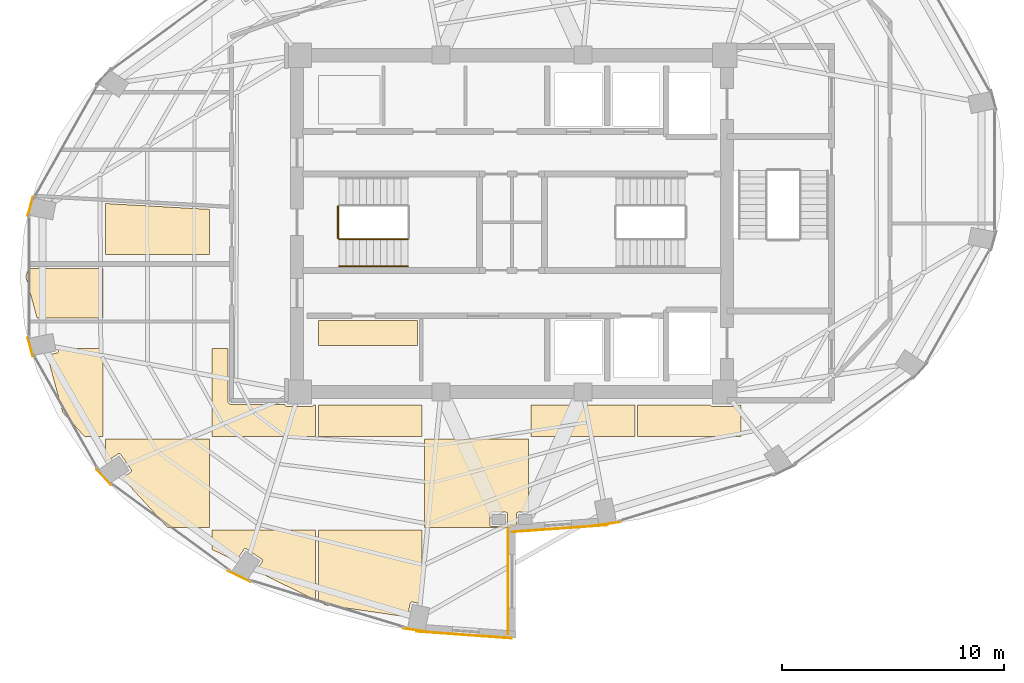
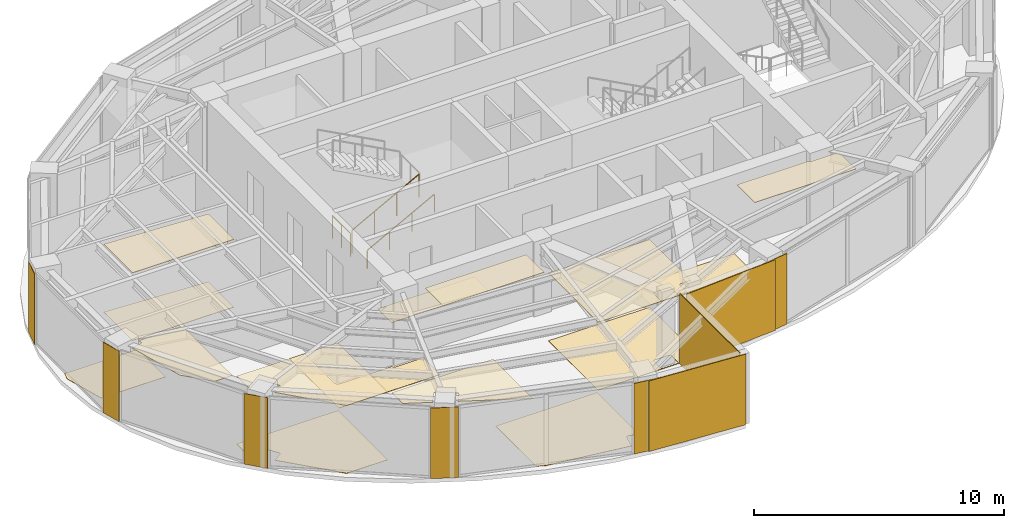
# One storey, part 22 of 23: 24 coverings, 3 railings.
"""IFC4 building model written with IfcOpenShell, lengths in metres."""

from ifc_helpers import new_model, si_unit, direction, frame, origin, origin_2d, place, context, subcontext, project, spatial, polyline, rectangle, circle, outline, extrude, material, layer, layer_set, type_object, element, save


model = new_model("IFC4")

# Units and contexts
model_context = context("Model", 3, precision=1e-05, world=origin(), true_north=direction((0.0, 1.0)))
body_context = subcontext(model_context, "Body", "Model", "MODEL_VIEW")
ifc_project = project(units=[si_unit("LENGTHUNIT", "METRE"), si_unit("AREAUNIT", "SQUARE_METRE"), si_unit("VOLUMEUNIT", "CUBIC_METRE"), si_unit("PLANEANGLEUNIT", "RADIAN"), si_unit("MASSUNIT", "GRAM", prefix="KILO")], contexts=[model_context])

# Site, building, storey
site_placement = place(None, origin())
site = spatial("IfcSite", under=ifc_project, at=site_placement, CompositionType="ELEMENT")
building_placement = place(site_placement, origin())
building = spatial("IfcBuilding", under=site, at=building_placement, Name="Lazwardi Medical Tower", CompositionType="ELEMENT")
storey_placement = place(building_placement, frame((0.0, 0.0, 213.072021484375)))
storey = spatial("IfcBuildingStorey", under=building, at=storey_placement, Name="L55", CompositionType="ELEMENT", Elevation=213.072021484375)

# Coverings
ifc_material_1 = material(Name="Anodised bronze aluminium cassette cladding", Category="aluminium")
ifc_layer_1 = layer(ifc_material_1, 0.030029296875)
ifc_layer_set_1 = layer_set([ifc_layer_1], Name="Anodised bronze aluminium cassette cladding")
covering_type_1 = type_object("IfcCoveringType", Name="COV-CLD-BRZ", PredefinedType="CLADDING", material=ifc_layer_set_1)
covering_1_placement = place(storey_placement, frame((40.3232421875, 14.450439453125, 0.0), z_axis=(0.0, 0.0, 1.0), x_axis=(0.989512431533, 0.144447733943, 0.0)))
element("IfcCovering", 1, at=covering_1_placement, inside=storey, type_object=covering_type_1, Name="L55 Mega-column bronze cassette cover M01", PredefinedType="CLADDING", context=body_context, shape_type="SweptSolid", body=[
    extrude(rectangle(XDim=1.188720703125, YDim=0.030029296875, at=origin_2d()), origin(), (0.0, 0.0, 1.0), 3.447998046875),
])
for number, where, z_axis, x_axis, name in (
    (2, (14.265869140625, 28.772705078125, 0.0), (0.0, 0.0, 1.0), (-0.261641748247, -0.96516506131, 0.0), "L55 Mega-column bronze cassette cover M12"),
    (3, (14.265869140625, 22.427490234375, 0.0), (0.0, 0.0, 1.0), (0.261641748247, -0.96516506131, 0.0), "L55 Mega-column bronze cassette cover M13"),
):
    element("IfcCovering", number, at=place(storey_placement, frame(where, z_axis=z_axis, x_axis=x_axis)), inside=storey, type_object=covering_type_1, Name=name, PredefinedType="CLADDING", context=body_context, shape_type="SweptSolid", body=[
        extrude(rectangle(XDim=0.894287109375, YDim=0.030029296875, at=origin_2d()), origin(), (0.0, 0.0, 1.0), 3.447998046875),
    ])
covering_2_placement = place(storey_placement, frame((17.57470703125, 16.565185546875, 0.0), z_axis=(0.0, 0.0, 1.0), x_axis=(0.673240970654, -0.739423150458, 0.0)))
element("IfcCovering", 4, at=covering_2_placement, inside=storey, type_object=covering_type_1, Name="L55 Mega-column bronze cassette cover M14", PredefinedType="CLADDING", context=body_context, shape_type="SweptSolid", body=[
    extrude(rectangle(XDim=0.98974609375, YDim=0.030029296875, at=origin_2d()), origin(), (0.0, 0.0, 1.0), 3.447998046875),
])
covering_3_placement = place(storey_placement, frame((23.688720703125, 12.07861328125, 0.0), z_axis=(0.0, 0.0, 1.0), x_axis=(0.897840141691, -0.440321564278, 0.0)))
element("IfcCovering", 5, at=covering_3_placement, inside=storey, type_object=covering_type_1, Name="L55 Mega-column bronze cassette cover M15", PredefinedType="CLADDING", context=body_context, shape_type="SweptSolid", body=[
    extrude(rectangle(XDim=1.110595703125, YDim=0.030029296875, at=origin_2d()), origin(), (0.0, 0.0, 1.0), 3.447998046875),
])
covering_4_placement = place(storey_placement, frame((31.6767578125, 9.650390625, 0.0), z_axis=(0.0, 0.0, 1.0), x_axis=(0.989512431533, -0.144447733943, 0.0)))
element("IfcCovering", 6, at=covering_4_placement, inside=storey, type_object=covering_type_1, Name="L55 Mega-column bronze cassette cover M16", PredefinedType="CLADDING", context=body_context, shape_type="SweptSolid", body=[
    extrude(rectangle(XDim=1.188720703125, YDim=0.030029296875, at=origin_2d()), origin(), (0.0, 0.0, 1.0), 3.447998046875),
])
ifc_material_2 = material(Name="Turquoise glazed ceramic tilework cladding", Category="masonry")
ifc_layer_2 = layer(ifc_material_2, 0.034912109375)
ifc_layer_set_2 = layer_set([ifc_layer_2], Name="Turquoise glazed ceramic tilework cladding")
covering_type_2 = type_object("IfcCoveringType", Name="COV-CLD-TRQ", PredefinedType="CLADDING", material=ifc_layer_set_2)
covering_5_placement = place(storey_placement, frame((38.16259765625, 14.239990234375, 0.0), z_axis=(0.0, 0.0, 1.0), x_axis=(0.997409491337, 0.071932653157, 0.0)))
element("IfcCovering", 7, at=covering_5_placement, inside=storey, type_object=covering_type_2, Name="L55 Turquoise glazed ceramic tilework cladding", PredefinedType="CLADDING", context=body_context, shape_type="SweptSolid", body=[
    extrude(rectangle(XDim=4.31103515625, YDim=0.034912109375, at=origin_2d()), origin(), (0.0, 0.0, 1.0), 3.447998046875),
])
covering_6_placement = place(storey_placement, frame((33.83740234375, 9.43994140625, 0.0), z_axis=(0.0, 0.0, 1.0), x_axis=(0.997408989128, -0.071939616387, 0.0)))
element("IfcCovering", 8, at=covering_6_placement, inside=storey, type_object=covering_type_2, Name="L55 Turquoise glazed ceramic tilework cladding", PredefinedType="CLADDING", context=body_context, shape_type="SweptSolid", body=[
    extrude(rectangle(XDim=4.310546875, YDim=0.034912109375, at=origin_2d()), origin(), (0.0, 0.0, 1.0), 3.447998046875),
])
covering_7_placement = place(storey_placement, frame((35.824462890625, 11.860107421875, 0.0), z_axis=(0.0, 0.0, 1.0), x_axis=(0.0, 1.0, 0.0)))
element("IfcCovering", 9, at=covering_7_placement, inside=storey, type_object=covering_type_2, Name="L55 Turquoise glazed ceramic tilework iwan panel", PredefinedType="CLADDING", context=body_context, shape_type="SweptSolid", body=[
    extrude(rectangle(XDim=4.800048828125, YDim=0.034912109375, at=origin_2d()), origin(), (0.0, 0.0, 1.0), 3.447998046875),
])
ifc_material_3 = material(Name="Acoustic mineral fibre tile")
ifc_layer_3 = layer(ifc_material_3, 0.02490234375)
ifc_layer_set_3 = layer_set([ifc_layer_3], Name="Acoustic mineral fibre tile")
covering_type_3 = type_object("IfcCoveringType", Name="COV-CLG-01", PredefinedType="CEILING", material=ifc_layer_set_3)
covering_8_placement = place(storey_placement, frame((0.0, 0.0, 3.302978515625)))
element("IfcCovering", 10, at=covering_8_placement, inside=storey, type_object=covering_type_3, Name="L55 Clinical Acoustic Ceiling 1", PredefinedType="CEILING", context=body_context, shape_type="SweptSolid", body=[
    extrude(outline(polyline([(15.510498046875, 22.37255859375), (15.534423828125, 22.251953125), (15.53564453125, 22.244140625), (15.535888671875, 22.236328125), (15.53564453125, 22.228515625), (15.534423828125, 22.220703125), (15.53271484375, 22.213134765625), (15.52978515625, 22.205810546875), (15.526611328125, 22.19873046875), (15.5224609375, 22.19189453125), (15.517822265625, 22.185791015625), (15.5126953125, 22.1796875), (15.5068359375, 22.174560546875), (15.50048828125, 22.169921875), (15.49365234375, 22.165771484375), (15.486572265625, 22.16259765625), (15.479248046875, 22.159912109375), (15.4716796875, 22.157958984375), (15.0224609375, 22.068603515625), (15.728271484375, 19.470703125), (16.71240234375, 18.392578125), (17.54296875, 18.392578125), (17.54296875, 22.37255859375), (15.510498046875, 22.37255859375)])), origin(), (0.0, 0.0, 1.0), 0.02490234375),
])
covering_9_placement = place(storey_placement, frame((0.0, 0.0, 3.302978515625)))
element("IfcCovering", 11, at=covering_9_placement, inside=storey, type_object=covering_type_3, Name="L55 Clinical Acoustic Ceiling 2", PredefinedType="CEILING", context=body_context, shape_type="SweptSolid", body=[
    extrude(outline(polyline([(17.662841796875, 17.351318359375), (17.7333984375, 17.273681640625), (18.236572265625, 17.60986328125), (18.2431640625, 17.614013671875), (18.250244140625, 17.6171875), (18.2578125, 17.6201171875), (18.265380859375, 17.621826171875), (18.273193359375, 17.623046875), (18.281005859375, 17.623291015625), (18.288818359375, 17.623046875), (18.29638671875, 17.621826171875), (18.30419921875, 17.6201171875), (18.3115234375, 17.6171875), (18.318603515625, 17.614013671875), (18.3251953125, 17.60986328125), (18.33154296875, 17.605224609375), (18.33740234375, 17.60009765625), (18.3427734375, 17.59423828125), (18.347412109375, 17.587890625), (18.814208984375, 16.889404296875), (18.818115234375, 16.8828125), (18.821533203125, 16.87548828125), (18.82421875, 16.8681640625), (18.826171875, 16.860595703125), (18.8271484375, 16.852783203125), (18.82763671875, 16.844970703125), (18.8271484375, 16.837158203125), (18.826171875, 16.829345703125), (18.82421875, 16.82177734375), (18.821533203125, 16.814453125), (18.818115234375, 16.807373046875), (18.814208984375, 16.800537109375), (18.809326171875, 16.794189453125), (18.80419921875, 16.788330078125), (18.79833984375, 16.783203125), (18.7919921875, 16.778564453125), (18.415283203125, 16.52685546875), (20.45458984375, 14.29248046875), (22.343017578125, 14.29248046875), (22.343017578125, 18.2724609375), (17.662841796875, 18.2724609375), (17.662841796875, 17.351318359375)])), origin(), (0.0, 0.0, 1.0), 0.02490234375),
])
covering_10_placement = place(storey_placement, frame((0.0, 0.0, 3.302978515625)))
element("IfcCovering", 12, at=covering_10_placement, inside=storey, type_object=covering_type_3, Name="L55 Clinical Acoustic Ceiling 3", PredefinedType="CEILING", context=body_context, shape_type="SweptSolid", body=[
    extrude(outline(polyline([(22.343017578125, 28.640380859375), (17.662841796875, 28.902587890625), (17.662841796875, 26.592529296875), (22.343017578125, 26.592529296875), (22.343017578125, 28.640380859375)])), origin(), (0.0, 0.0, 1.0), 0.02490234375),
])
covering_11_placement = place(storey_placement, frame((0.0, 0.0, 3.302978515625)))
element("IfcCovering", 13, at=covering_11_placement, inside=storey, type_object=covering_type_3, Name="L55 Clinical Acoustic Ceiling 4", PredefinedType="CEILING", context=body_context, shape_type="SweptSolid", body=[
    extrude(outline(polyline([(22.462890625, 13.2958984375), (23.545654296875, 12.766357421875), (23.900634765625, 13.297607421875), (23.905517578125, 13.303955078125), (23.91064453125, 13.309814453125), (23.91650390625, 13.31494140625), (23.9228515625, 13.319580078125), (23.929443359375, 13.32373046875), (23.9365234375, 13.3271484375), (23.944091796875, 13.329833984375), (23.95166015625, 13.331787109375), (23.95947265625, 13.332763671875), (23.96728515625, 13.333251953125), (23.97509765625, 13.332763671875), (23.98291015625, 13.331787109375), (23.990478515625, 13.329833984375), (23.997802734375, 13.3271484375), (24.0048828125, 13.32373046875), (24.01171875, 13.319580078125), (24.7099609375, 12.85302734375), (24.71630859375, 12.848388671875), (24.72216796875, 12.843017578125), (24.727294921875, 12.83740234375), (24.732177734375, 12.830810546875), (24.736083984375, 12.82421875), (24.739501953125, 12.817138671875), (24.7421875, 12.809814453125), (24.744140625, 12.802001953125), (24.7451171875, 12.794189453125), (24.74560546875, 12.78662109375), (24.7451171875, 12.77880859375), (24.744140625, 12.77099609375), (24.7421875, 12.76318359375), (24.739501953125, 12.755859375), (24.736083984375, 12.748779296875), (24.732177734375, 12.7421875), (24.4521484375, 12.322998046875), (27.142822265625, 11.006591796875), (27.142822265625, 14.172607421875), (22.462890625, 14.172607421875), (22.462890625, 13.2958984375)])), origin(), (0.0, 0.0, 1.0), 0.02490234375),
])
covering_12_placement = place(storey_placement, frame((0.0, 0.0, 3.302978515625)))
element("IfcCovering", 14, at=covering_12_placement, inside=storey, type_object=covering_type_3, Name="L55 Clinical Acoustic Ceiling 6", PredefinedType="CEILING", context=body_context, shape_type="SweptSolid", body=[
    extrude(outline(polyline([(31.94287109375, 19.820068359375), (27.262939453125, 19.820068359375), (27.262939453125, 18.392578125), (31.94287109375, 18.392578125), (31.94287109375, 19.820068359375)])), origin(), (0.0, 0.0, 1.0), 0.02490234375),
])
covering_13_placement = place(storey_placement, frame((0.0, 0.0, 3.302978515625)))
element("IfcCovering", 15, at=covering_13_placement, inside=storey, type_object=covering_type_3, Name="L55 Clinical Acoustic Ceiling 8", PredefinedType="CEILING", context=body_context, shape_type="SweptSolid", body=[
    extrude(outline(polyline([(35.921142578125, 14.29248046875), (35.92138671875, 14.295166015625), (35.923095703125, 14.302490234375), (35.92578125, 14.309814453125), (35.928955078125, 14.316650390625), (35.9326171875, 14.3232421875), (35.93701171875, 14.329345703125), (35.94189453125, 14.335205078125), (35.947509765625, 14.34033203125), (35.95361328125, 14.34521484375), (35.9599609375, 14.34912109375), (35.966796875, 14.352783203125), (35.9736328125, 14.355712890625), (35.98095703125, 14.357666015625), (35.988525390625, 14.359130859375), (36.201416015625, 14.39013671875), (36.200439453125, 14.397216796875), (36.199951171875, 14.405029296875), (36.199951171875, 14.89501953125), (36.200439453125, 14.90283203125), (36.201416015625, 14.91064453125), (36.203369140625, 14.918212890625), (36.2060546875, 14.925537109375), (36.20947265625, 14.9326171875), (36.21337890625, 14.939453125), (36.21826171875, 14.94580078125), (36.223388671875, 14.95166015625), (36.229248046875, 14.956787109375), (36.235595703125, 14.96142578125), (36.2421875, 14.965576171875), (36.24951171875, 14.968994140625), (36.2568359375, 14.9716796875), (36.264404296875, 14.973388671875), (36.272216796875, 14.974609375), (36.280029296875, 14.97509765625), (36.742919921875, 14.97509765625), (36.742919921875, 18.2724609375), (32.06298828125, 18.2724609375), (32.06298828125, 14.29248046875), (35.921142578125, 14.29248046875)]), holes=[polyline([(35.75048828125, 14.3310546875), (35.7431640625, 14.328369140625), (35.735595703125, 14.326416015625), (35.727783203125, 14.325439453125), (35.719970703125, 14.324951171875), (35.080078125, 14.324951171875), (35.072265625, 14.325439453125), (35.064453125, 14.326416015625), (35.056884765625, 14.328369140625), (35.04931640625, 14.3310546875), (35.042236328125, 14.33447265625), (35.03564453125, 14.33837890625), (35.029296875, 14.34326171875), (35.0234375, 14.348388671875), (35.018310546875, 14.354248046875), (35.013427734375, 14.360595703125), (35.009521484375, 14.3671875), (35.006103515625, 14.37451171875), (35.00341796875, 14.3818359375), (35.00146484375, 14.389404296875), (35.00048828125, 14.397216796875), (35.0, 14.405029296875), (35.0, 14.89501953125), (35.00048828125, 14.90283203125), (35.00146484375, 14.91064453125), (35.00341796875, 14.918212890625), (35.006103515625, 14.925537109375), (35.009521484375, 14.9326171875), (35.013427734375, 14.939453125), (35.018310546875, 14.94580078125), (35.0234375, 14.95166015625), (35.029296875, 14.956787109375), (35.03564453125, 14.96142578125), (35.042236328125, 14.965576171875), (35.04931640625, 14.968994140625), (35.056884765625, 14.9716796875), (35.064453125, 14.973388671875), (35.072265625, 14.974609375), (35.080078125, 14.97509765625), (35.719970703125, 14.97509765625), (35.727783203125, 14.974609375), (35.735595703125, 14.973388671875), (35.7431640625, 14.9716796875), (35.75048828125, 14.968994140625), (35.7578125, 14.965576171875), (35.764404296875, 14.96142578125), (35.770751953125, 14.956787109375), (35.776611328125, 14.95166015625), (35.78173828125, 14.94580078125), (35.78662109375, 14.939453125), (35.79052734375, 14.9326171875), (35.7939453125, 14.925537109375), (35.796630859375, 14.918212890625), (35.798583984375, 14.91064453125), (35.799560546875, 14.90283203125), (35.800048828125, 14.89501953125), (35.800048828125, 14.405029296875), (35.799560546875, 14.397216796875), (35.798583984375, 14.389404296875), (35.796630859375, 14.3818359375), (35.7939453125, 14.37451171875), (35.79052734375, 14.3671875), (35.78662109375, 14.360595703125), (35.78173828125, 14.354248046875), (35.776611328125, 14.348388671875), (35.770751953125, 14.34326171875), (35.764404296875, 14.33837890625), (35.7578125, 14.33447265625), (35.75048828125, 14.3310546875)])]), origin(), (0.0, 0.0, 1.0), 0.02490234375),
])
covering_14_placement = place(storey_placement, frame((0.0, 0.0, 3.302978515625)))
element("IfcCovering", 16, at=covering_14_placement, inside=storey, type_object=covering_type_3, Name="L55 Clinical Acoustic Ceiling 10", PredefinedType="CEILING", context=body_context, shape_type="SweptSolid", body=[
    extrude(outline(polyline([(46.343017578125, 19.820068359375), (46.249267578125, 19.820068359375), (46.24853515625, 19.814453125), (46.24658203125, 19.806884765625), (46.243896484375, 19.79931640625), (46.240478515625, 19.792236328125), (46.236572265625, 19.78564453125), (46.231689453125, 19.779296875), (46.2265625, 19.7734375), (46.220703125, 19.768310546875), (46.21435546875, 19.763427734375), (46.207763671875, 19.759521484375), (46.20068359375, 19.756103515625), (46.193115234375, 19.75341796875), (46.185546875, 19.75146484375), (46.177734375, 19.75048828125), (46.169921875, 19.75), (45.030029296875, 19.75), (45.022216796875, 19.75048828125), (45.014404296875, 19.75146484375), (45.0068359375, 19.75341796875), (44.99951171875, 19.756103515625), (44.9921875, 19.759521484375), (44.985595703125, 19.763427734375), (44.979248046875, 19.768310546875), (44.973388671875, 19.7734375), (44.96826171875, 19.779296875), (44.96337890625, 19.78564453125), (44.95947265625, 19.792236328125), (44.9560546875, 19.79931640625), (44.953369140625, 19.806884765625), (44.951416015625, 19.814453125), (44.95068359375, 19.820068359375), (41.662841796875, 19.820068359375), (41.662841796875, 18.392578125), (46.343017578125, 18.392578125), (46.343017578125, 19.820068359375)])), origin(), (0.0, 0.0, 1.0), 0.02490234375),
])
ifc_material_4 = material(Name="Anti-static hospital vinyl sheet flooring")
ifc_layer_4 = layer(ifc_material_4, 0.014892578125)
ifc_layer_set_4 = layer_set([ifc_layer_4], Name="Anti-static hospital vinyl sheet flooring")
covering_type_4 = type_object("IfcCoveringType", Name="COV-FLR-01", PredefinedType="FLOORING", material=ifc_layer_set_4)
covering_15_placement = place(storey_placement, origin())
element("IfcCovering", 17, at=covering_15_placement, inside=storey, type_object=covering_type_4, Name="L55 Clinical Vinyl Flooring 1", PredefinedType="FLOORING", context=body_context, shape_type="SweptSolid", body=[
    extrude(outline(polyline([(17.54296875, 25.969970703125), (14.16357421875, 25.969970703125), (14.06298828125, 25.60009765625), (14.56689453125, 23.7451171875), (17.54296875, 23.7451171875), (17.54296875, 25.969970703125)])), origin(), (0.0, 0.0, 1.0), 0.014892578125),
])
covering_16_placement = place(storey_placement, origin())
element("IfcCovering", 18, at=covering_16_placement, inside=storey, type_object=covering_type_4, Name="L55 Clinical Vinyl Flooring 2", PredefinedType="FLOORING", context=body_context, shape_type="SweptSolid", body=[
    extrude(outline(polyline([(17.662841796875, 17.351318359375), (17.7333984375, 17.273681640625), (18.236572265625, 17.60986328125), (18.2431640625, 17.614013671875), (18.250244140625, 17.6171875), (18.2578125, 17.6201171875), (18.265380859375, 17.621826171875), (18.273193359375, 17.623046875), (18.281005859375, 17.623291015625), (18.288818359375, 17.623046875), (18.29638671875, 17.621826171875), (18.30419921875, 17.6201171875), (18.3115234375, 17.6171875), (18.318603515625, 17.614013671875), (18.3251953125, 17.60986328125), (18.33154296875, 17.605224609375), (18.33740234375, 17.60009765625), (18.3427734375, 17.59423828125), (18.347412109375, 17.587890625), (18.814208984375, 16.889404296875), (18.818115234375, 16.8828125), (18.821533203125, 16.87548828125), (18.82421875, 16.8681640625), (18.826171875, 16.860595703125), (18.8271484375, 16.852783203125), (18.82763671875, 16.844970703125), (18.8271484375, 16.837158203125), (18.826171875, 16.829345703125), (18.82421875, 16.82177734375), (18.821533203125, 16.814453125), (18.818115234375, 16.807373046875), (18.814208984375, 16.800537109375), (18.809326171875, 16.794189453125), (18.80419921875, 16.788330078125), (18.79833984375, 16.783203125), (18.7919921875, 16.778564453125), (18.415283203125, 16.52685546875), (20.45458984375, 14.29248046875), (22.343017578125, 14.29248046875), (22.343017578125, 18.2724609375), (17.662841796875, 18.2724609375), (17.662841796875, 17.351318359375)])), origin(), (0.0, 0.0, 1.0), 0.014892578125),
])
covering_17_placement = place(storey_placement, origin())
element("IfcCovering", 19, at=covering_17_placement, inside=storey, type_object=covering_type_4, Name="L55 Clinical Vinyl Flooring 3", PredefinedType="FLOORING", context=body_context, shape_type="SweptSolid", body=[
    extrude(outline(polyline([(22.343017578125, 28.640380859375), (17.662841796875, 28.902587890625), (17.662841796875, 26.592529296875), (22.343017578125, 26.592529296875), (22.343017578125, 28.640380859375)])), origin(), (0.0, 0.0, 1.0), 0.014892578125),
])
covering_18_placement = place(storey_placement, origin())
element("IfcCovering", 20, at=covering_18_placement, inside=storey, type_object=covering_type_4, Name="L55 Clinical Vinyl Flooring 4", PredefinedType="FLOORING", context=body_context, shape_type="SweptSolid", body=[
    extrude(outline(polyline([(27.142822265625, 19.820068359375), (27.04931640625, 19.820068359375), (27.048583984375, 19.814453125), (27.046630859375, 19.806884765625), (27.0439453125, 19.79931640625), (27.04052734375, 19.792236328125), (27.03662109375, 19.78564453125), (27.03173828125, 19.779296875), (27.026611328125, 19.7734375), (27.020751953125, 19.768310546875), (27.014404296875, 19.763427734375), (27.0078125, 19.759521484375), (27.00048828125, 19.756103515625), (26.9931640625, 19.75341796875), (26.985595703125, 19.75146484375), (26.977783203125, 19.75048828125), (26.969970703125, 19.75), (25.830078125, 19.75), (25.822265625, 19.75048828125), (25.814453125, 19.75146484375), (25.806884765625, 19.75341796875), (25.79931640625, 19.756103515625), (25.792236328125, 19.759521484375), (25.78564453125, 19.763427734375), (25.779296875, 19.768310546875), (25.7734375, 19.7734375), (25.768310546875, 19.779296875), (25.763427734375, 19.78564453125), (25.759521484375, 19.792236328125), (25.756103515625, 19.79931640625), (25.75341796875, 19.806884765625), (25.75146484375, 19.814453125), (25.75048828125, 19.822265625), (25.75, 19.830078125), (25.75, 19.844970703125), (23.35009765625, 19.844970703125), (23.345703125, 19.84521484375), (23.33642578125, 19.845703125), (23.32958984375, 19.84619140625), (23.3203125, 19.84765625), (23.31201171875, 19.84912109375), (23.302734375, 19.8515625), (23.2958984375, 19.853515625), (23.287109375, 19.856689453125), (23.279296875, 19.860107421875), (23.270751953125, 19.864013671875), (23.263916015625, 19.86767578125), (23.256103515625, 19.872314453125), (23.249267578125, 19.876953125), (23.24169921875, 19.882568359375), (23.236083984375, 19.88720703125), (23.229248046875, 19.893310546875), (23.223388671875, 19.8994140625), (23.217041015625, 19.90625), (23.21240234375, 19.911865234375), (23.206787109375, 19.919189453125), (23.202392578125, 19.926025390625), (23.197509765625, 19.93408203125), (23.194091796875, 19.94091796875), (23.18994140625, 19.94921875), (23.186767578125, 19.95703125), (23.18359375, 19.9658203125), (23.181396484375, 19.972900390625), (23.17919921875, 19.98193359375), (23.177490234375, 19.990234375), (23.17626953125, 19.99951171875), (23.175537109375, 20.00634765625), (23.175048828125, 20.015625), (23.175048828125, 20.02001953125), (23.175048828125, 22.37255859375), (22.462890625, 22.37255859375), (22.462890625, 18.392578125), (27.142822265625, 18.392578125), (27.142822265625, 19.820068359375)])), origin(), (0.0, 0.0, 1.0), 0.014892578125),
])
covering_19_placement = place(storey_placement, origin())
element("IfcCovering", 21, at=covering_19_placement, inside=storey, type_object=covering_type_4, Name="L55 Clinical Vinyl Flooring 5", PredefinedType="FLOORING", context=body_context, shape_type="SweptSolid", body=[
    extrude(outline(polyline([(27.262939453125, 10.947998046875), (27.59716796875, 10.784423828125), (31.285400390625, 10.247314453125), (31.40673828125, 10.8583984375), (31.40869140625, 10.865966796875), (31.411376953125, 10.873291015625), (31.414794921875, 10.88037109375), (31.418701171875, 10.88720703125), (31.423583984375, 10.8935546875), (31.4287109375, 10.8994140625), (31.4345703125, 10.904541015625), (31.44091796875, 10.9091796875), (31.447509765625, 10.913330078125), (31.45458984375, 10.91650390625), (31.462158203125, 10.919189453125), (31.4697265625, 10.921142578125), (31.4775390625, 10.92236328125), (31.4853515625, 10.922607421875), (31.4931640625, 10.92236328125), (31.5009765625, 10.921142578125), (31.94287109375, 10.833251953125), (31.94287109375, 14.172607421875), (27.262939453125, 14.172607421875), (27.262939453125, 10.947998046875)])), origin(), (0.0, 0.0, 1.0), 0.014892578125),
])
covering_20_placement = place(storey_placement, origin())
element("IfcCovering", 22, at=covering_20_placement, inside=storey, type_object=covering_type_4, Name="L55 Clinical Vinyl Flooring 6", PredefinedType="FLOORING", context=body_context, shape_type="SweptSolid", body=[
    extrude(outline(polyline([(31.739990234375, 22.492431640625), (31.739990234375, 23.6201171875), (27.262939453125, 23.6201171875), (27.262939453125, 22.492431640625), (31.739990234375, 22.492431640625)])), origin(), (0.0, 0.0, 1.0), 0.014892578125),
])
covering_21_placement = place(storey_placement, origin())
element("IfcCovering", 23, at=covering_21_placement, inside=storey, type_object=covering_type_4, Name="L55 Clinical Vinyl Flooring 7", PredefinedType="FLOORING", context=body_context, shape_type="SweptSolid", body=[
    extrude(outline(polyline([(35.921142578125, 14.29248046875), (35.92138671875, 14.295166015625), (35.923095703125, 14.302490234375), (35.92578125, 14.309814453125), (35.928955078125, 14.316650390625), (35.9326171875, 14.3232421875), (35.93701171875, 14.329345703125), (35.94189453125, 14.335205078125), (35.947509765625, 14.34033203125), (35.95361328125, 14.34521484375), (35.9599609375, 14.34912109375), (35.966796875, 14.352783203125), (35.9736328125, 14.355712890625), (35.98095703125, 14.357666015625), (35.988525390625, 14.359130859375), (36.201416015625, 14.39013671875), (36.200439453125, 14.397216796875), (36.199951171875, 14.405029296875), (36.199951171875, 14.89501953125), (36.200439453125, 14.90283203125), (36.201416015625, 14.91064453125), (36.203369140625, 14.918212890625), (36.2060546875, 14.925537109375), (36.20947265625, 14.9326171875), (36.21337890625, 14.939453125), (36.21826171875, 14.94580078125), (36.223388671875, 14.95166015625), (36.229248046875, 14.956787109375), (36.235595703125, 14.96142578125), (36.2421875, 14.965576171875), (36.24951171875, 14.968994140625), (36.2568359375, 14.9716796875), (36.264404296875, 14.973388671875), (36.272216796875, 14.974609375), (36.280029296875, 14.97509765625), (36.742919921875, 14.97509765625), (36.742919921875, 18.2724609375), (32.06298828125, 18.2724609375), (32.06298828125, 14.29248046875), (35.921142578125, 14.29248046875)]), holes=[polyline([(35.75048828125, 14.3310546875), (35.7431640625, 14.328369140625), (35.735595703125, 14.326416015625), (35.727783203125, 14.325439453125), (35.719970703125, 14.324951171875), (35.080078125, 14.324951171875), (35.072265625, 14.325439453125), (35.064453125, 14.326416015625), (35.056884765625, 14.328369140625), (35.04931640625, 14.3310546875), (35.042236328125, 14.33447265625), (35.03564453125, 14.33837890625), (35.029296875, 14.34326171875), (35.0234375, 14.348388671875), (35.018310546875, 14.354248046875), (35.013427734375, 14.360595703125), (35.009521484375, 14.3671875), (35.006103515625, 14.37451171875), (35.00341796875, 14.3818359375), (35.00146484375, 14.389404296875), (35.00048828125, 14.397216796875), (35.0, 14.405029296875), (35.0, 14.89501953125), (35.00048828125, 14.90283203125), (35.00146484375, 14.91064453125), (35.00341796875, 14.918212890625), (35.006103515625, 14.925537109375), (35.009521484375, 14.9326171875), (35.013427734375, 14.939453125), (35.018310546875, 14.94580078125), (35.0234375, 14.95166015625), (35.029296875, 14.956787109375), (35.03564453125, 14.96142578125), (35.042236328125, 14.965576171875), (35.04931640625, 14.968994140625), (35.056884765625, 14.9716796875), (35.064453125, 14.973388671875), (35.072265625, 14.974609375), (35.080078125, 14.97509765625), (35.719970703125, 14.97509765625), (35.727783203125, 14.974609375), (35.735595703125, 14.973388671875), (35.7431640625, 14.9716796875), (35.75048828125, 14.968994140625), (35.7578125, 14.965576171875), (35.764404296875, 14.96142578125), (35.770751953125, 14.956787109375), (35.776611328125, 14.95166015625), (35.78173828125, 14.94580078125), (35.78662109375, 14.939453125), (35.79052734375, 14.9326171875), (35.7939453125, 14.925537109375), (35.796630859375, 14.918212890625), (35.798583984375, 14.91064453125), (35.799560546875, 14.90283203125), (35.800048828125, 14.89501953125), (35.800048828125, 14.405029296875), (35.799560546875, 14.397216796875), (35.798583984375, 14.389404296875), (35.796630859375, 14.3818359375), (35.7939453125, 14.37451171875), (35.79052734375, 14.3671875), (35.78662109375, 14.360595703125), (35.78173828125, 14.354248046875), (35.776611328125, 14.348388671875), (35.770751953125, 14.34326171875), (35.764404296875, 14.33837890625), (35.7578125, 14.33447265625), (35.75048828125, 14.3310546875)])]), origin(), (0.0, 0.0, 1.0), 0.014892578125),
])
covering_22_placement = place(storey_placement, origin())
element("IfcCovering", 24, at=covering_22_placement, inside=storey, type_object=covering_type_4, Name="L55 Clinical Vinyl Flooring 9", PredefinedType="FLOORING", context=body_context, shape_type="SweptSolid", body=[
    extrude(outline(polyline([(41.54296875, 19.820068359375), (36.86279296875, 19.820068359375), (36.86279296875, 18.392578125), (41.54296875, 18.392578125), (41.54296875, 19.820068359375)])), origin(), (0.0, 0.0, 1.0), 0.014892578125),
])

# Railings
ifc_material_5 = material(Name="Stainless steel Grade 316", Category="steel")
railing_type_1 = type_object("IfcRailingType", Name="RLG-GRD-1150", PredefinedType="GUARDRAIL", material=ifc_material_5)
railing_1_placement = place(storey_placement, frame((28.199951171875, 27.2900390625, 0.165771484375)))
element("IfcRailing", 25, at=railing_1_placement, inside=storey, type_object=railing_type_1, Name="L55 ST1 stair guard 1", PredefinedType="GUARDRAIL", context=body_context, shape_type="SweptSolid", body=[
    extrude(circle(Radius=0.02392578125, at=origin_2d()), frame((0.0, 0.0, 1.1259765625), z_axis=(0.881783298633, 0.0, 0.471654761719), x_axis=(0.0, 1.0, 0.0)), (0.0, 0.0, 1.0), 3.515625),
    extrude(circle(Radius=0.02099609375, at=origin_2d()), origin(), (0.0, 0.0, 1.0), 1.099853515625),
    extrude(circle(Radius=0.02099609375, at=origin_2d()), frame((1.033447265625, 0.0, 0.552734375)), (0.0, 0.0, 1.0), 1.099853515625),
    extrude(circle(Radius=0.02099609375, at=origin_2d()), frame((2.066650390625, 0.0, 1.10546875)), (0.0, 0.0, 1.0), 1.099853515625),
    extrude(circle(Radius=0.02099609375, at=origin_2d()), frame((3.10009765625, 0.0, 1.658203125)), (0.0, 0.0, 1.0), 1.099853515625),
])
railing_2_placement = place(storey_placement, frame((28.14990234375, 27.340087890625, 0.0)))
element("IfcRailing", 26, at=railing_2_placement, inside=storey, type_object=railing_type_1, Name="L55 ST1 stair guard 4", PredefinedType="GUARDRAIL", context=body_context, shape_type="SweptSolid", body=[
    extrude(circle(Radius=0.02392578125, at=origin_2d()), frame((0.0, 0.0, 1.1259765625), z_axis=(0.0, 1.0, 0.0), x_axis=(-1.0, 0.0, 0.0)), (0.0, 0.0, 1.0), 1.43994140625),
    extrude(circle(Radius=0.02099609375, at=origin_2d()), origin(), (0.0, 0.0, 1.0), 1.099853515625),
    extrude(circle(Radius=0.02099609375, at=origin_2d()), frame((0.0, 0.719970703125, 0.0)), (0.0, 0.0, 1.0), 1.099853515625),
    extrude(circle(Radius=0.02099609375, at=origin_2d()), frame((0.0, 1.43994140625, 0.0)), (0.0, 0.0, 1.0), 1.099853515625),
])
railing_type_2 = type_object("IfcRailingType", Name="RLG-HND-920", PredefinedType="HANDRAIL", material=ifc_material_5)
railing_3_placement = place(storey_placement, frame((28.199951171875, 26.070068359375, 0.165771484375)))
element("IfcRailing", 27, at=railing_3_placement, inside=storey, type_object=railing_type_2, Name="L55 ST1 stair handrail 1", PredefinedType="HANDRAIL", context=body_context, shape_type="SweptSolid", body=[
    extrude(circle(Radius=0.02392578125, at=origin_2d()), frame((0.0, 0.0, 0.8857421875), z_axis=(0.881783298633, 0.0, 0.471654761719), x_axis=(0.0, 1.0, 0.0)), (0.0, 0.0, 1.0), 3.515625),
    extrude(circle(Radius=0.02099609375, at=origin_2d()), origin(), (0.0, 0.0, 1.0), 0.85986328125),
    extrude(circle(Radius=0.02099609375, at=origin_2d()), frame((1.033447265625, 0.0, 0.552734375)), (0.0, 0.0, 1.0), 0.85986328125),
    extrude(circle(Radius=0.02099609375, at=origin_2d()), frame((2.066650390625, 0.0, 1.10546875)), (0.0, 0.0, 1.0), 0.85986328125),
    extrude(circle(Radius=0.02099609375, at=origin_2d()), frame((3.10009765625, 0.0, 1.658203125)), (0.0, 0.0, 1.0), 0.85986328125),
])

save(model, "model.ifc")
